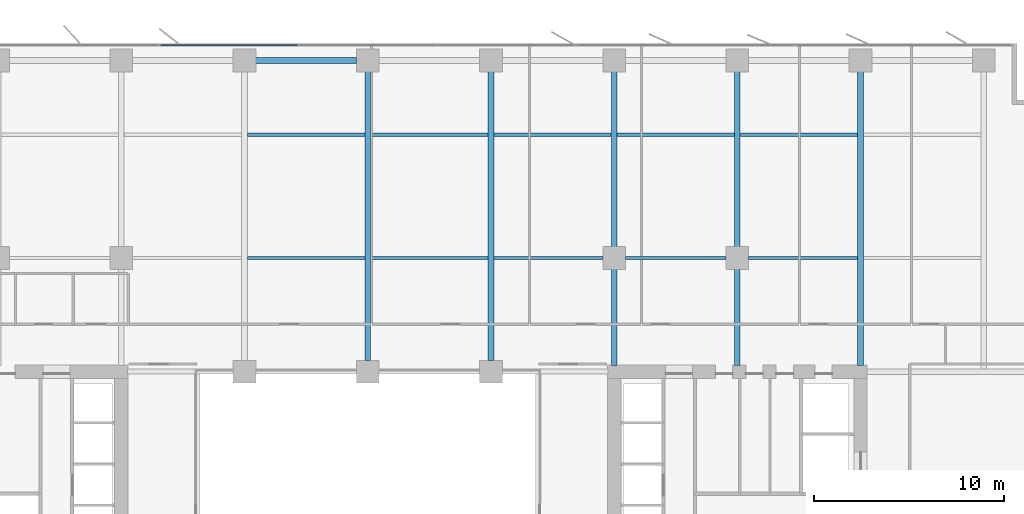
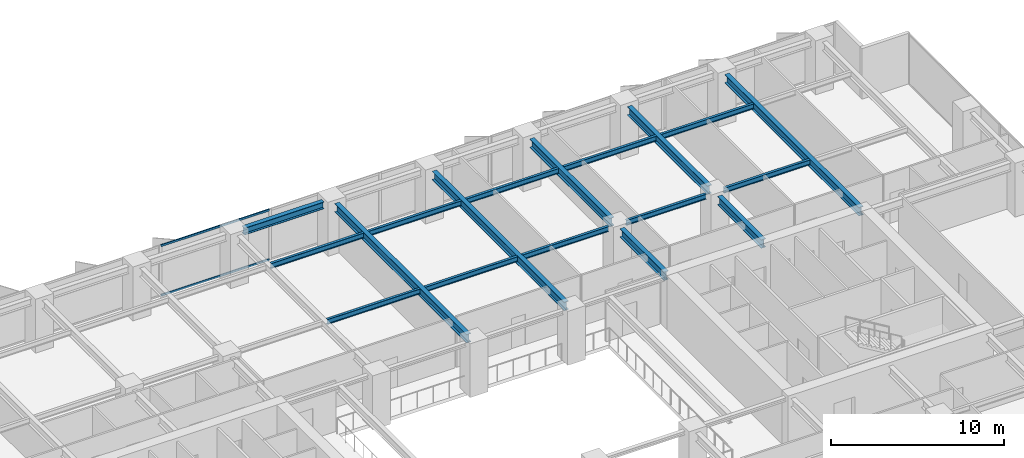
# One storey, part 8 of 20: 18 beams, 2 members, 1 element without a shape of its own.
"""IFC4 building model written with IfcOpenShell, lengths in metres."""

from ifc_helpers import new_model, si_unit, direction, frame, origin, origin_2d, place, context, subcontext, project, spatial, rectangle, i_section, extrude, material, layer, layer_set, material_profile, profile_set, type_object, element, aggregate, save


model = new_model("IFC4")

# Units and contexts
model_context = context("Model", 3, precision=1e-05, world=origin(), true_north=direction((0.0, 1.0)))
body_context = subcontext(model_context, "Body", "Model", "MODEL_VIEW")
ifc_project = project(units=[si_unit("LENGTHUNIT", "METRE"), si_unit("AREAUNIT", "SQUARE_METRE"), si_unit("VOLUMEUNIT", "CUBIC_METRE"), si_unit("PLANEANGLEUNIT", "RADIAN"), si_unit("MASSUNIT", "GRAM", prefix="KILO")], contexts=[model_context])

# Site, building, storey
site_placement = place(None, origin())
site = spatial("IfcSite", under=ifc_project, at=site_placement, CompositionType="ELEMENT")
building_placement = place(site_placement, origin())
building = spatial("IfcBuilding", under=site, at=building_placement, Name="Putna Gate Headquarters", CompositionType="ELEMENT")
storey_placement = place(building_placement, frame((0.0, 0.0, 105.0)))
storey = spatial("IfcBuildingStorey", under=building, at=storey_placement, Name="L25", CompositionType="ELEMENT", Elevation=105.0)

# Beams
ifc_material_1 = material(Name="Steel S355J2", Category="steel")
ifc_material_profile_1 = material_profile(ifc_material_1, i_section(OverallWidth=0.300048828125, OverallDepth=0.60009765625, WebThickness=0.015380859375, FlangeThickness=0.030029296875, at=origin_2d()), Name="Steel S355J2")
ifc_profile_set_1 = profile_set([ifc_material_profile_1], Name="Steel S355J2")
beam_type_1 = type_object("IfcBeamType", Name="BM-GIRD-Z2-HEB600", PredefinedType="USERDEFINED", material=ifc_profile_set_1)
for number, where, z_axis, x_axis, name in (
    (1, (39.0, 33.587890625, 3.264892578125), (0.0, 1.0, 0.0), (-1.0, 0.0, 0.0), "L25 North Primary Girder X39"),
    (2, (45.5, 33.587890625, 3.264892578125), (0.0, 1.0, 0.0), (-1.0, 0.0, 0.0), "L25 North Primary Girder X45"),
):
    element("IfcBeam", number, at=place(storey_placement, frame(where, z_axis=z_axis, x_axis=x_axis)), inside=storey, type_object=beam_type_1, Name=name, ObjectType="GIRDER", PredefinedType="USERDEFINED", context=body_context, shape_type="SweptSolid", body=[
        extrude(i_section(OverallWidth=0.300048828125, OverallDepth=0.60009765625, WebThickness=0.015380859375, FlangeThickness=0.030029296875, at=origin_2d()), origin(), (0.0, 0.0, 1.0), 15.244140625),
    ])
beam_1_placement = place(storey_placement, frame((52.0, 33.3349609375, 3.264892578125), z_axis=(0.0, 1.0, 0.0), x_axis=(-1.0, 0.0, 0.0)))
element("IfcBeam", 3, at=beam_1_placement, inside=storey, type_object=beam_type_1, Name="L25 North Primary Girder X52-1", ObjectType="GIRDER", PredefinedType="USERDEFINED", context=body_context, shape_type="SweptSolid", body=[
    extrude(i_section(OverallWidth=0.300048828125, OverallDepth=0.60009765625, WebThickness=0.015380859375, FlangeThickness=0.030029296875, at=origin_2d()), origin(), (0.0, 0.0, 1.0), 5.0771484375),
])
beam_2_placement = place(storey_placement, frame((52.0, 39.587890625, 3.264892578125), z_axis=(0.0, 1.0, 0.0), x_axis=(-1.0, 0.0, 0.0)))
element("IfcBeam", 4, at=beam_2_placement, inside=storey, type_object=beam_type_1, Name="L25 North Primary Girder X52-2", ObjectType="GIRDER", PredefinedType="USERDEFINED", context=body_context, shape_type="SweptSolid", body=[
    extrude(i_section(OverallWidth=0.300048828125, OverallDepth=0.60009765625, WebThickness=0.015380859375, FlangeThickness=0.030029296875, at=origin_2d()), origin(), (0.0, 0.0, 1.0), 9.244140625),
])
beam_3_placement = place(storey_placement, frame((58.5, 33.3349609375, 3.264892578125), z_axis=(0.0, 1.0, 0.0), x_axis=(-1.0, 0.0, 0.0)))
element("IfcBeam", 5, at=beam_3_placement, inside=storey, type_object=beam_type_1, Name="L25 North Primary Girder X58-1", ObjectType="GIRDER", PredefinedType="USERDEFINED", context=body_context, shape_type="SweptSolid", body=[
    extrude(i_section(OverallWidth=0.300048828125, OverallDepth=0.60009765625, WebThickness=0.015380859375, FlangeThickness=0.030029296875, at=origin_2d()), origin(), (0.0, 0.0, 1.0), 5.0771484375),
])
beam_4_placement = place(storey_placement, frame((58.5, 39.587890625, 3.264892578125), z_axis=(0.0, 1.0, 0.0), x_axis=(-1.0, 0.0, 0.0)))
element("IfcBeam", 6, at=beam_4_placement, inside=storey, type_object=beam_type_1, Name="L25 North Primary Girder X58-2", ObjectType="GIRDER", PredefinedType="USERDEFINED", context=body_context, shape_type="SweptSolid", body=[
    extrude(i_section(OverallWidth=0.300048828125, OverallDepth=0.60009765625, WebThickness=0.015380859375, FlangeThickness=0.030029296875, at=origin_2d()), origin(), (0.0, 0.0, 1.0), 9.244140625),
])
beam_5_placement = place(storey_placement, frame((65.0, 33.3349609375, 3.264892578125), z_axis=(0.0, 1.0, 0.0), x_axis=(-1.0, 0.0, 0.0)))
element("IfcBeam", 7, at=beam_5_placement, inside=storey, type_object=beam_type_1, Name="L25 North Primary Girder X65", ObjectType="GIRDER", PredefinedType="USERDEFINED", context=body_context, shape_type="SweptSolid", body=[
    extrude(i_section(OverallWidth=0.300048828125, OverallDepth=0.60009765625, WebThickness=0.015380859375, FlangeThickness=0.030029296875, at=origin_2d()), origin(), (0.0, 0.0, 1.0), 15.4970703125),
])
ifc_material_profile_2 = material_profile(ifc_material_1, i_section(OverallWidth=0.169921875, OverallDepth=0.360107421875, WebThickness=0.008056640625, FlangeThickness=0.0126953125, at=origin_2d()), Name="Steel S355J2")
ifc_profile_set_2 = profile_set([ifc_material_profile_2], Name="Steel S355J2")
beam_type_2 = type_object("IfcBeamType", Name="BM-SEC-Z2-IPE360", PredefinedType="BEAM", material=ifc_profile_set_2)
for number, where, z_axis, x_axis, name in (
    (8, (32.654052734375, 39.0, 3.385009765625), (1.0, 0.0, 0.0), (0.0, 1.0, 0.0), "L25 North Secondary Beam 5"),
    (9, (32.654052734375, 45.5, 3.385009765625), (1.0, 0.0, 0.0), (0.0, 1.0, 0.0), "L25 North Secondary Beam 5"),
    (10, (39.154052734375, 39.0, 3.385009765625), (1.0, 0.0, 0.0), (0.0, 1.0, 0.0), "L25 North Secondary Beam 6"),
    (11, (39.154052734375, 45.5, 3.385009765625), (1.0, 0.0, 0.0), (0.0, 1.0, 0.0), "L25 North Secondary Beam 6"),
):
    element("IfcBeam", number, at=place(storey_placement, frame(where, z_axis=z_axis, x_axis=x_axis)), inside=storey, type_object=beam_type_2, Name=name, PredefinedType="BEAM", context=body_context, shape_type="SweptSolid", body=[
        extrude(i_section(OverallWidth=0.169921875, OverallDepth=0.360107421875, WebThickness=0.008056640625, FlangeThickness=0.0126953125, at=origin_2d()), origin(), (0.0, 0.0, 1.0), 6.19189453125),
    ])
beam_6_placement = place(storey_placement, frame((45.654052734375, 39.0, 3.385009765625), z_axis=(1.0, 0.0, 0.0), x_axis=(0.0, 1.0, 0.0)))
element("IfcBeam", 12, at=beam_6_placement, inside=storey, type_object=beam_type_2, Name="L25 North Secondary Beam 7", PredefinedType="BEAM", context=body_context, shape_type="SweptSolid", body=[
    extrude(i_section(OverallWidth=0.169921875, OverallDepth=0.360107421875, WebThickness=0.008056640625, FlangeThickness=0.0126953125, at=origin_2d()), origin(), (0.0, 0.0, 1.0), 5.758056640625),
])
beam_7_placement = place(storey_placement, frame((45.654052734375, 45.5, 3.385009765625), z_axis=(1.0, 0.0, 0.0), x_axis=(0.0, 1.0, 0.0)))
element("IfcBeam", 13, at=beam_7_placement, inside=storey, type_object=beam_type_2, Name="L25 North Secondary Beam 7", PredefinedType="BEAM", context=body_context, shape_type="SweptSolid", body=[
    extrude(i_section(OverallWidth=0.169921875, OverallDepth=0.360107421875, WebThickness=0.008056640625, FlangeThickness=0.0126953125, at=origin_2d()), origin(), (0.0, 0.0, 1.0), 6.19189453125),
])
beam_8_placement = place(storey_placement, frame((52.587890625, 39.0, 3.385009765625), z_axis=(1.0, 0.0, 0.0), x_axis=(0.0, 1.0, 0.0)))
element("IfcBeam", 14, at=beam_8_placement, inside=storey, type_object=beam_type_2, Name="L25 North Secondary Beam 8", PredefinedType="BEAM", context=body_context, shape_type="SweptSolid", body=[
    extrude(i_section(OverallWidth=0.169921875, OverallDepth=0.360107421875, WebThickness=0.008056640625, FlangeThickness=0.0126953125, at=origin_2d()), origin(), (0.0, 0.0, 1.0), 5.32421875),
])
beam_9_placement = place(storey_placement, frame((52.154052734375, 45.5, 3.385009765625), z_axis=(1.0, 0.0, 0.0), x_axis=(0.0, 1.0, 0.0)))
element("IfcBeam", 15, at=beam_9_placement, inside=storey, type_object=beam_type_2, Name="L25 North Secondary Beam 8", PredefinedType="BEAM", context=body_context, shape_type="SweptSolid", body=[
    extrude(i_section(OverallWidth=0.169921875, OverallDepth=0.360107421875, WebThickness=0.008056640625, FlangeThickness=0.0126953125, at=origin_2d()), origin(), (0.0, 0.0, 1.0), 6.19189453125),
])
beam_10_placement = place(storey_placement, frame((59.087890625, 39.0, 3.385009765625), z_axis=(1.0, 0.0, 0.0), x_axis=(0.0, 1.0, 0.0)))
element("IfcBeam", 16, at=beam_10_placement, inside=storey, type_object=beam_type_2, Name="L25 North Secondary Beam 9", PredefinedType="BEAM", context=body_context, shape_type="SweptSolid", body=[
    extrude(i_section(OverallWidth=0.169921875, OverallDepth=0.360107421875, WebThickness=0.008056640625, FlangeThickness=0.0126953125, at=origin_2d()), origin(), (0.0, 0.0, 1.0), 5.758056640625),
])
beam_11_placement = place(storey_placement, frame((58.654052734375, 45.5, 3.385009765625), z_axis=(1.0, 0.0, 0.0), x_axis=(0.0, 1.0, 0.0)))
element("IfcBeam", 17, at=beam_11_placement, inside=storey, type_object=beam_type_2, Name="L25 North Secondary Beam 9", PredefinedType="BEAM", context=body_context, shape_type="SweptSolid", body=[
    extrude(i_section(OverallWidth=0.169921875, OverallDepth=0.360107421875, WebThickness=0.008056640625, FlangeThickness=0.0126953125, at=origin_2d()), origin(), (0.0, 0.0, 1.0), 6.19189453125),
])
ifc_material_profile_3 = material_profile(ifc_material_1, i_section(OverallWidth=0.300048828125, OverallDepth=0.489990234375, WebThickness=0.011962890625, FlangeThickness=0.02294921875, at=origin_2d()), Name="Steel S355J2")
ifc_profile_set_3 = profile_set([ifc_material_profile_3], Name="Steel S355J2")
beam_type_3 = type_object("IfcBeamType", Name="BM-SPAN-Z2-HEA500", PredefinedType="SPANDREL", material=ifc_profile_set_3)
beam_12_placement = place(storey_placement, frame((33.087890625, 49.419921875, 3.320068359375), z_axis=(1.0, 0.0, 0.0), x_axis=(0.0, 1.0, 0.0)))
element("IfcBeam", 18, at=beam_12_placement, inside=storey, type_object=beam_type_3, Name="L25 N Perimeter Spandrel 5", PredefinedType="SPANDREL", context=body_context, shape_type="SweptSolid", body=[
    extrude(i_section(OverallWidth=0.300048828125, OverallDepth=0.489990234375, WebThickness=0.011962890625, FlangeThickness=0.02294921875, at=origin_2d()), origin(), (0.0, 0.0, 1.0), 5.32421875),
])

# Curtain wall, members
ifc_material_2 = material(Name="Anodised bronze aluminium curtain wall", Category="aluminium")
ifc_layer = layer(ifc_material_2, 0.179931640625)
ifc_layer_set = layer_set([ifc_layer], Name="Anodised bronze aluminium curtain wall")
curtain_wall_type = type_object("IfcCurtainWallType", Name="CW-SYS-ATR", PredefinedType="USERDEFINED", material=ifc_layer_set)
curtain_wall_placement = place(storey_placement, origin())
curtain_wall = element("IfcCurtainWall", 19, at=curtain_wall_placement, inside=storey, type_object=curtain_wall_type, Name="L25 North Atrium Clear Glazing", ObjectType="ATRIUM GLAZING", PredefinedType="USERDEFINED")
ifc_material_3 = material(Name="Anodised bronze aluminium EN AW-6060", Category="aluminium")
ifc_material_profile_4 = material_profile(ifc_material_3, rectangle(XDim=0.070068359375, YDim=0.139892578125, at=origin_2d()), Name="Anodised bronze aluminium EN AW-6060")
ifc_profile_set_4 = profile_set([ifc_material_profile_4], Name="Anodised bronze aluminium EN AW-6060")
member_type = type_object("IfcMemberType", Name="TRAN-CWT-AT", PredefinedType="USERDEFINED", material=ifc_profile_set_4)
member_1_placement = place(storey_placement, frame((28.070068359375, 50.219970703125, 0.034912109375), z_axis=(1.0, 0.0, 0.0), x_axis=(0.0, 1.0, 0.0)))
member_1 = element("IfcMember", 20, at=member_1_placement, type_object=member_type, Name="CWS-AT transom 1.1", ObjectType="TRANSOM", PredefinedType="USERDEFINED", context=body_context, shape_type="SweptSolid", body=[
    extrude(rectangle(XDim=0.070068359375, YDim=0.139892578125, at=origin_2d()), origin(), (0.0, 0.0, 1.0), 7.228271484375),
])
member_2_placement = place(storey_placement, frame((28.070068359375, 50.219970703125, 3.530029296875), z_axis=(1.0, 0.0, 0.0), x_axis=(0.0, 1.0, 0.0)))
member_2 = element("IfcMember", 21, at=member_2_placement, type_object=member_type, Name="CWS-AT transom 1.2", ObjectType="TRANSOM", PredefinedType="USERDEFINED", context=body_context, shape_type="SweptSolid", body=[
    extrude(rectangle(XDim=0.070068359375, YDim=0.139892578125, at=origin_2d()), origin(), (0.0, 0.0, 1.0), 7.228271484375),
])
aggregate(curtain_wall, [member_1, member_2])

save(model, "model.ifc")
